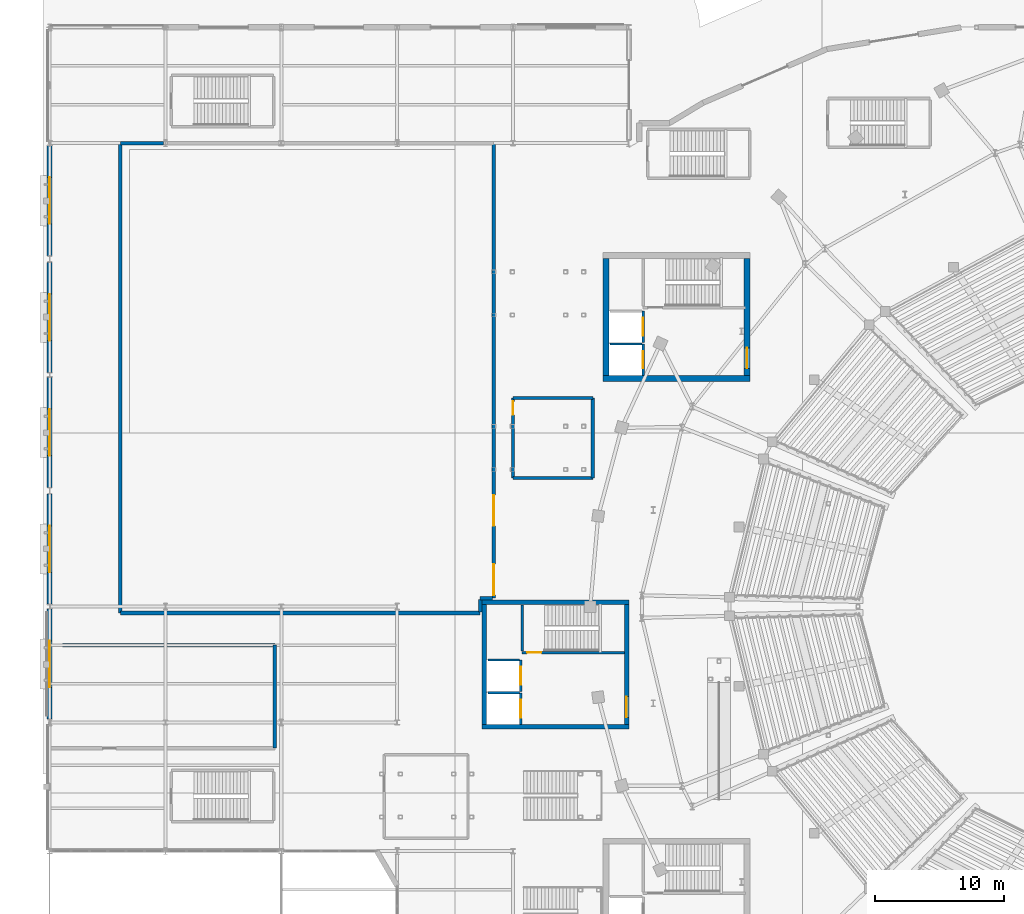
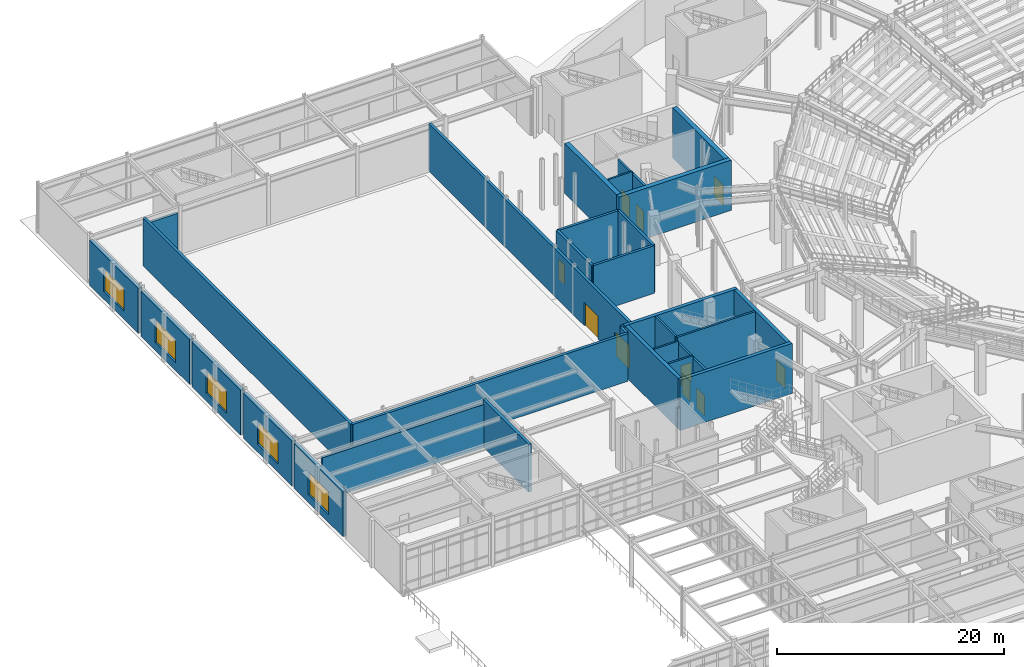
# One storey, part 51 of 79: 33 walls, 10 doors, 5 windows, 15 openings.
"""IFC4 building model written with IfcOpenShell, lengths in metres."""

from ifc_helpers import new_model, si_unit, direction, frame, frame_2d, origin, place, context, subcontext, project, spatial, rectangle, extrude, material, layer, layer_set, type_object, element, fill, save


model = new_model("IFC4")

# Units and contexts
model_context = context("Model", 3, precision=1e-05, world=origin(), true_north=direction((0.0, 1.0)))
body_context = subcontext(model_context, "Body", "Model", "MODEL_VIEW")
ifc_project = project(units=[si_unit("LENGTHUNIT", "METRE"), si_unit("AREAUNIT", "SQUARE_METRE"), si_unit("VOLUMEUNIT", "CUBIC_METRE"), si_unit("PLANEANGLEUNIT", "RADIAN"), si_unit("MASSUNIT", "GRAM", prefix="KILO")], contexts=[model_context])

# Site, building, storey
site_placement = place(None, origin())
site = spatial("IfcSite", under=ifc_project, at=site_placement, CompositionType="ELEMENT")
building_placement = place(site_placement, origin())
building = spatial("IfcBuilding", under=site, at=building_placement, Name="Glasvene Arena", CompositionType="ELEMENT")
storey_placement = place(building_placement, origin())
storey = spatial("IfcBuildingStorey", under=building, at=storey_placement, Name="L00", CompositionType="ELEMENT", Elevation=0.0)

# Walls
ifc_material_1 = material(Name="Concrete C40/50", Category="concrete")
ifc_layer_1 = layer(ifc_material_1, 0.35009765625)
ifc_layer_set_1 = layer_set([ifc_layer_1], Name="Concrete C40/50")
wall_type_1 = type_object("IfcWallType", Name="WL-CORE-350", PredefinedType="SHEAR", material=ifc_layer_set_1)
for number, where, z_axis, x_axis, name in (
    (1, (33.60009765625, 63.675048828125, 0.0), (0.0, 0.0, 1.0), (1.0, 0.0, 0.0), "Core C5 West Media shear wall S L00"),
    (2, (33.60009765625, 73.324951171875, 0.0), (0.0, 0.0, 1.0), (1.0, 0.0, 0.0), "Core C5 West Media shear wall N L00"),
):
    element("IfcWall", number, at=place(storey_placement, frame(where, z_axis=z_axis, x_axis=x_axis)), inside=storey, type_object=wall_type_1, Name=name, PredefinedType="SHEAR", context=body_context, shape_type="SweptSolid", body=[
        extrude(rectangle(XDim=11.39990234375, YDim=0.35009765625, at=frame_2d((5.699951171875, 0.0))), origin(), (0.0, 0.0, 1.0), 5.39990234375),
    ])
wall_1_placement = place(storey_placement, frame((33.77490234375, 63.85009765625, 0.0), z_axis=(0.0, 0.0, 1.0), x_axis=(0.0, 1.0, 0.0)))
element("IfcWall", 3, at=wall_1_placement, inside=storey, type_object=wall_type_1, Name="Core C5 West Media shear wall W L00", PredefinedType="SHEAR", context=body_context, shape_type="SweptSolid", body=[
    extrude(rectangle(XDim=9.2998046875, YDim=0.35009765625, at=frame_2d((4.64990234375, 0.0))), origin(), (0.0, 0.0, 1.0), 5.39990234375),
])

# Wall, opening, door
wall_2_placement = place(storey_placement, frame((44.824951171875, 63.85009765625, 0.0), z_axis=(0.0, 0.0, 1.0), x_axis=(0.0, 1.0, 0.0)))
wall_2 = element("IfcWall", 4, at=wall_2_placement, inside=storey, type_object=wall_type_1, Name="Core C5 West Media shear wall E L00", PredefinedType="SHEAR", context=body_context, shape_type="SweptSolid", body=[
    extrude(rectangle(XDim=9.2998046875, YDim=0.35009765625, at=frame_2d((4.64990234375, 0.0))), origin(), (0.0, 0.0, 1.0), 5.39990234375),
])
opening_1_placement = place(wall_2_placement, frame((0.550048828125, 0.0, 0.0)))
opening_1 = element("IfcOpeningElement", 5, at=opening_1_placement, cuts=wall_2, Name="Opening D-02", PredefinedType="OPENING", context=body_context, shape_type="SweptSolid", body=[
    extrude(rectangle(XDim=1.60009765625, YDim=2.199951171875, at=frame_2d((0.800048828125, 1.10009765625))), frame((0.0, 0.18505859375, 0.0), z_axis=(0.0, -1.0, 0.0), x_axis=(1.0, 0.0, 0.0)), (0.0, 0.0, 1.0), 0.3701171875),
])
ifc_material_2 = material(Name="Painted fire-resisting steel", Category="steel")
door_type_1 = type_object("IfcDoorType", Name="DR-FD60-1600", OperationType="DOUBLE_DOOR_SINGLE_SWING", PredefinedType="DOOR", material=ifc_material_2)
door_1_placement = place(opening_1_placement, frame((1.60009765625, 0.0, 0.0), z_axis=(0.0, 0.0, 1.0), x_axis=(-1.0, 0.0, 0.0)))
door_1 = element("IfcDoor", 6, at=door_1_placement, inside=storey, type_object=door_type_1, Name="Core firefighting lobby concourse door C5-L00", OperationType="DOUBLE_DOOR_SINGLE_SWING", OverallHeight=2.199951171875, OverallWidth=1.60009765625, PredefinedType="DOOR", context=body_context, shape_type="SweptSolid", body=[
    extrude(rectangle(XDim=1.60009765625, YDim=2.199951171875, at=frame_2d((0.800048828125, 1.10009765625))), frame((0.0, 0.02490234375, 0.0), z_axis=(0.0, -1.0, 0.0), x_axis=(1.0, 0.0, 0.0)), (0.0, 0.0, 1.0), 0.050048828125),
])
fill(opening_1, door_1)

# Walls
ifc_layer_2 = layer(ifc_material_1, 0.449951171875)
ifc_layer_set_2 = layer_set([ifc_layer_2], Name="Concrete C40/50")
wall_type_2 = type_object("IfcWallType", Name="WL-CORE-450", PredefinedType="SHEAR", material=ifc_layer_set_2)
wall_3_placement = place(storey_placement, frame((43.0, 90.72509765625, 0.0), z_axis=(0.0, 0.0, 1.0), x_axis=(1.0, 0.0, 0.0)))
element("IfcWall", 7, at=wall_3_placement, inside=storey, type_object=wall_type_2, Name="Core C1 North-West shear wall S L00", PredefinedType="SHEAR", context=body_context, shape_type="SweptSolid", body=[
    extrude(rectangle(XDim=11.39990234375, YDim=0.449951171875, at=frame_2d((5.699951171875, 0.0))), origin(), (0.0, 0.0, 1.0), 5.39990234375),
])
wall_4_placement = place(storey_placement, frame((43.22509765625, 90.949951171875, 0.0), z_axis=(0.0, 0.0, 1.0), x_axis=(0.0, 1.0, 0.0)))
element("IfcWall", 8, at=wall_4_placement, inside=storey, type_object=wall_type_2, Name="Core C1 North-West shear wall W L00", PredefinedType="SHEAR", context=body_context, shape_type="SweptSolid", body=[
    extrude(rectangle(XDim=9.10009765625, YDim=0.449951171875, at=frame_2d((4.550048828125, 0.0))), origin(), (0.0, 0.0, 1.0), 5.39990234375),
])

# Wall, opening, door
wall_5_placement = place(storey_placement, frame((54.175048828125, 90.949951171875, 0.0), z_axis=(0.0, 0.0, 1.0), x_axis=(0.0, 1.0, 0.0)))
wall_5 = element("IfcWall", 9, at=wall_5_placement, inside=storey, type_object=wall_type_2, Name="Core C1 North-West shear wall E L00", PredefinedType="SHEAR", context=body_context, shape_type="SweptSolid", body=[
    extrude(rectangle(XDim=9.10009765625, YDim=0.449951171875, at=frame_2d((4.550048828125, 0.0))), origin(), (0.0, 0.0, 1.0), 5.39990234375),
])
opening_2_placement = place(wall_5_placement, frame((0.550048828125, 0.0, 0.0)))
opening_2 = element("IfcOpeningElement", 10, at=opening_2_placement, cuts=wall_5, Name="Opening D-02", PredefinedType="OPENING", context=body_context, shape_type="SweptSolid", body=[
    extrude(rectangle(XDim=1.60009765625, YDim=2.199951171875, at=frame_2d((0.800048828125, 1.10009765625))), frame((0.0, 0.23486328125, 0.0), z_axis=(0.0, -1.0, 0.0), x_axis=(1.0, 0.0, 0.0)), (0.0, 0.0, 1.0), 0.469970703125),
])
door_2_placement = place(opening_2_placement, frame((1.60009765625, 0.0, 0.0), z_axis=(0.0, 0.0, 1.0), x_axis=(-1.0, 0.0, 0.0)))
door_2 = element("IfcDoor", 11, at=door_2_placement, inside=storey, type_object=door_type_1, Name="Core firefighting lobby concourse door C1-L00", OperationType="DOUBLE_DOOR_SINGLE_SWING", OverallHeight=2.199951171875, OverallWidth=1.60009765625, PredefinedType="DOOR", context=body_context, shape_type="SweptSolid", body=[
    extrude(rectangle(XDim=1.60009765625, YDim=2.199951171875, at=frame_2d((0.800048828125, 1.10009765625))), frame((0.0, 0.02490234375, 0.0), z_axis=(0.0, -1.0, 0.0), x_axis=(1.0, 0.0, 0.0)), (0.0, 0.0, 1.0), 0.050048828125),
])
fill(opening_2, door_2)

# Wall, opening, window
ifc_material_3 = material(Name="Coursed pale Irish limestone", Category="masonry")
ifc_layer_3 = layer(ifc_material_3, 0.39990234375)
ifc_layer_set_3 = layer_set([ifc_layer_3], Name="Coursed pale Irish limestone")
wall_type_3 = type_object("IfcWallType", Name="WL-EXT-LIM-400", PredefinedType="STANDARD", material=ifc_layer_set_3)
wall_6_placement = place(storey_placement, frame((0.0, 64.251953125, 0.0), z_axis=(0.0, 0.0, 1.0), x_axis=(0.0, 1.0, 0.0)))
wall_6 = element("IfcWall", 12, at=wall_6_placement, inside=storey, type_object=wall_type_3, Name="External facade wall EW-L00-0002", PredefinedType="STANDARD", context=body_context, shape_type="SweptSolid", body=[
    extrude(rectangle(XDim=8.56201171875, YDim=0.39990234375, at=frame_2d((4.281005859375, 0.0))), origin(), (0.0, 0.0, 1.0), 4.81494140625),
])
opening_3_placement = place(wall_6_placement, frame((2.48095703125, 0.0, 0.85009765625)))
opening_3 = element("IfcOpeningElement", 13, at=opening_3_placement, cuts=wall_6, Name="Opening W-01", PredefinedType="OPENING", context=body_context, shape_type="SweptSolid", body=[
    extrude(rectangle(XDim=3.60009765625, YDim=2.39990234375, at=frame_2d((1.800048828125, 1.199951171875))), frame((0.0, 0.2099609375, 0.0), z_axis=(0.0, -1.0, 0.0), x_axis=(1.0, 0.0, 0.0)), (0.0, 0.0, 1.0), 0.419921875),
])
ifc_material_4 = material(Name="Low-emissivity laminated double glazing", Category="glass")
window_type = type_object("IfcWindowType", Name="WN-FOY-360x240", PartitioningType="DOUBLE_PANEL_VERTICAL", PredefinedType="WINDOW", material=ifc_material_4)
window_1_placement = place(opening_3_placement, origin())
window_1 = element("IfcWindow", 14, at=window_1_placement, inside=storey, type_object=window_type, Name="Facade window WN-FOY-360x240 L00-0001", OverallHeight=2.39990234375, OverallWidth=3.60009765625, PartitioningType="SINGLE_PANEL", PredefinedType="WINDOW", context=body_context, shape_type="SweptSolid", body=[
    extrude(rectangle(XDim=3.60009765625, YDim=2.39990234375, at=frame_2d((1.800048828125, 1.199951171875))), frame((0.0, 0.030029296875, 0.0), z_axis=(0.0, -1.0, 0.0), x_axis=(1.0, 0.0, 0.0)), (0.0, 0.0, 1.0), 0.06005859375),
])
fill(opening_3, window_1)

wall_7_placement = place(storey_placement, frame((0.0, 73.18603515625, 0.0), z_axis=(0.0, 0.0, 1.0), x_axis=(0.0, 1.0, 0.0)))
wall_7 = element("IfcWall", 15, at=wall_7_placement, inside=storey, type_object=wall_type_3, Name="External facade wall EW-L00-0003", PredefinedType="STANDARD", context=body_context, shape_type="SweptSolid", body=[
    extrude(rectangle(XDim=8.56201171875, YDim=0.39990234375, at=frame_2d((4.281005859375, 0.0))), origin(), (0.0, 0.0, 1.0), 4.81494140625),
])
opening_4_placement = place(wall_7_placement, frame((2.48095703125, 0.0, 0.85009765625)))
opening_4 = element("IfcOpeningElement", 16, at=opening_4_placement, cuts=wall_7, Name="Opening W-01", PredefinedType="OPENING", context=body_context, shape_type="SweptSolid", body=[
    extrude(rectangle(XDim=3.60009765625, YDim=2.39990234375, at=frame_2d((1.800048828125, 1.199951171875))), frame((0.0, 0.2099609375, 0.0), z_axis=(0.0, -1.0, 0.0), x_axis=(1.0, 0.0, 0.0)), (0.0, 0.0, 1.0), 0.419921875),
])
window_2_placement = place(opening_4_placement, origin())
window_2 = element("IfcWindow", 17, at=window_2_placement, inside=storey, type_object=window_type, Name="Facade window WN-FOY-360x240 L00-0002", OverallHeight=2.39990234375, OverallWidth=3.60009765625, PartitioningType="SINGLE_PANEL", PredefinedType="WINDOW", context=body_context, shape_type="SweptSolid", body=[
    extrude(rectangle(XDim=3.60009765625, YDim=2.39990234375, at=frame_2d((1.800048828125, 1.199951171875))), frame((0.0, 0.030029296875, 0.0), z_axis=(0.0, -1.0, 0.0), x_axis=(1.0, 0.0, 0.0)), (0.0, 0.0, 1.0), 0.06005859375),
])
fill(opening_4, window_2)

wall_8_placement = place(storey_placement, frame((0.0, 82.251953125, 0.0), z_axis=(0.0, 0.0, 1.0), x_axis=(0.0, 1.0, 0.0)))
wall_8 = element("IfcWall", 18, at=wall_8_placement, inside=storey, type_object=wall_type_3, Name="External facade wall EW-L00-0004", PredefinedType="STANDARD", context=body_context, shape_type="SweptSolid", body=[
    extrude(rectangle(XDim=8.56201171875, YDim=0.39990234375, at=frame_2d((4.281005859375, 0.0))), origin(), (0.0, 0.0, 1.0), 4.81494140625),
])
opening_5_placement = place(wall_8_placement, frame((2.48095703125, 0.0, 0.85009765625)))
opening_5 = element("IfcOpeningElement", 19, at=opening_5_placement, cuts=wall_8, Name="Opening W-01", PredefinedType="OPENING", context=body_context, shape_type="SweptSolid", body=[
    extrude(rectangle(XDim=3.60009765625, YDim=2.39990234375, at=frame_2d((1.800048828125, 1.199951171875))), frame((0.0, 0.2099609375, 0.0), z_axis=(0.0, -1.0, 0.0), x_axis=(1.0, 0.0, 0.0)), (0.0, 0.0, 1.0), 0.419921875),
])
window_3_placement = place(opening_5_placement, origin())
window_3 = element("IfcWindow", 20, at=window_3_placement, inside=storey, type_object=window_type, Name="Facade window WN-FOY-360x240 L00-0003", OverallHeight=2.39990234375, OverallWidth=3.60009765625, PartitioningType="SINGLE_PANEL", PredefinedType="WINDOW", context=body_context, shape_type="SweptSolid", body=[
    extrude(rectangle(XDim=3.60009765625, YDim=2.39990234375, at=frame_2d((1.800048828125, 1.199951171875))), frame((0.0, 0.030029296875, 0.0), z_axis=(0.0, -1.0, 0.0), x_axis=(1.0, 0.0, 0.0)), (0.0, 0.0, 1.0), 0.06005859375),
])
fill(opening_5, window_3)

wall_9_placement = place(storey_placement, frame((0.0, 91.18603515625, 0.0), z_axis=(0.0, 0.0, 1.0), x_axis=(0.0, 1.0, 0.0)))
wall_9 = element("IfcWall", 21, at=wall_9_placement, inside=storey, type_object=wall_type_3, Name="External facade wall EW-L00-0005", PredefinedType="STANDARD", context=body_context, shape_type="SweptSolid", body=[
    extrude(rectangle(XDim=8.56201171875, YDim=0.39990234375, at=frame_2d((4.281005859375, 0.0))), origin(), (0.0, 0.0, 1.0), 4.81494140625),
])
opening_6_placement = place(wall_9_placement, frame((2.48095703125, 0.0, 0.85009765625)))
opening_6 = element("IfcOpeningElement", 22, at=opening_6_placement, cuts=wall_9, Name="Opening W-01", PredefinedType="OPENING", context=body_context, shape_type="SweptSolid", body=[
    extrude(rectangle(XDim=3.60009765625, YDim=2.39990234375, at=frame_2d((1.800048828125, 1.199951171875))), frame((0.0, 0.2099609375, 0.0), z_axis=(0.0, -1.0, 0.0), x_axis=(1.0, 0.0, 0.0)), (0.0, 0.0, 1.0), 0.419921875),
])
window_4_placement = place(opening_6_placement, origin())
window_4 = element("IfcWindow", 23, at=window_4_placement, inside=storey, type_object=window_type, Name="Facade window WN-FOY-360x240 L00-0004", OverallHeight=2.39990234375, OverallWidth=3.60009765625, PartitioningType="SINGLE_PANEL", PredefinedType="WINDOW", context=body_context, shape_type="SweptSolid", body=[
    extrude(rectangle(XDim=3.60009765625, YDim=2.39990234375, at=frame_2d((1.800048828125, 1.199951171875))), frame((0.0, 0.030029296875, 0.0), z_axis=(0.0, -1.0, 0.0), x_axis=(1.0, 0.0, 0.0)), (0.0, 0.0, 1.0), 0.06005859375),
])
fill(opening_6, window_4)

wall_10_placement = place(storey_placement, frame((0.0, 100.251953125, 0.0), z_axis=(0.0, 0.0, 1.0), x_axis=(0.0, 1.0, 0.0)))
wall_10 = element("IfcWall", 24, at=wall_10_placement, inside=storey, type_object=wall_type_3, Name="External facade wall EW-L00-0006", PredefinedType="STANDARD", context=body_context, shape_type="SweptSolid", body=[
    extrude(rectangle(XDim=8.56201171875, YDim=0.39990234375, at=frame_2d((4.281005859375, 0.0))), origin(), (0.0, 0.0, 1.0), 4.81494140625),
])
opening_7_placement = place(wall_10_placement, frame((2.48095703125, 0.0, 0.85009765625)))
opening_7 = element("IfcOpeningElement", 25, at=opening_7_placement, cuts=wall_10, Name="Opening W-01", PredefinedType="OPENING", context=body_context, shape_type="SweptSolid", body=[
    extrude(rectangle(XDim=3.60009765625, YDim=2.39990234375, at=frame_2d((1.800048828125, 1.199951171875))), frame((0.0, 0.2099609375, 0.0), z_axis=(0.0, -1.0, 0.0), x_axis=(1.0, 0.0, 0.0)), (0.0, 0.0, 1.0), 0.419921875),
])
window_5_placement = place(opening_7_placement, origin())
window_5 = element("IfcWindow", 26, at=window_5_placement, inside=storey, type_object=window_type, Name="Facade window WN-FOY-360x240 L00-0005", OverallHeight=2.39990234375, OverallWidth=3.60009765625, PartitioningType="SINGLE_PANEL", PredefinedType="WINDOW", context=body_context, shape_type="SweptSolid", body=[
    extrude(rectangle(XDim=3.60009765625, YDim=2.39990234375, at=frame_2d((1.800048828125, 1.199951171875))), frame((0.0, 0.030029296875, 0.0), z_axis=(0.0, -1.0, 0.0), x_axis=(1.0, 0.0, 0.0)), (0.0, 0.0, 1.0), 0.06005859375),
])
fill(opening_7, window_5)

# Walls
ifc_layer_4 = layer(ifc_material_1, 0.25)
ifc_layer_set_4 = layer_set([ifc_layer_4], Name="Concrete C40/50")
wall_type_4 = type_object("IfcWallType", Name="WL-FIRE-250", PredefinedType="STANDARD", material=ifc_layer_set_4)
for number, where, z_axis, x_axis, name in (
    (27, (36.0, 89.199951171875, 0.0), (0.0, 0.0, 1.0), (1.0, 0.0, 0.0), "Interior partition wall IW-L00-0075 (Fire Command Centre)"),
    (28, (42.199951171875, 89.199951171875, 0.0), (0.0, 0.0, 1.0), (0.0, -1.0, 0.0), "Interior partition wall IW-L00-0076 (Fire Command Centre)"),
    (29, (42.199951171875, 83.0, 0.0), (0.0, 0.0, 1.0), (-1.0, 0.0, 0.0), "Interior partition wall IW-L00-0077 (Fire Command Centre)"),
):
    element("IfcWall", number, at=place(storey_placement, frame(where, z_axis=z_axis, x_axis=x_axis)), inside=storey, type_object=wall_type_4, Name=name, PredefinedType="STANDARD", context=body_context, shape_type="SweptSolid", body=[
        extrude(rectangle(XDim=6.199951171875, YDim=0.25, at=frame_2d((3.10009765625, 0.0))), origin(), (0.0, 0.0, 1.0), 5.1201171875),
    ])

# Wall, opening, door
wall_11_placement = place(storey_placement, frame((36.0, 83.0, 0.0), z_axis=(0.0, 0.0, 1.0), x_axis=(0.0, 1.0, 0.0)))
wall_11 = element("IfcWall", 30, at=wall_11_placement, inside=storey, type_object=wall_type_4, Name="Interior partition wall IW-L00-0078 (Fire Command Centre)", PredefinedType="STANDARD", context=body_context, shape_type="SweptSolid", body=[
    extrude(rectangle(XDim=6.199951171875, YDim=0.25, at=frame_2d((3.10009765625, 0.0))), origin(), (0.0, 0.0, 1.0), 5.1201171875),
])
opening_8_placement = place(wall_11_placement, frame((4.89990234375, 0.0, 0.0)))
opening_8 = element("IfcOpeningElement", 31, at=opening_8_placement, cuts=wall_11, Name="Opening D-05", PredefinedType="OPENING", context=body_context, shape_type="SweptSolid", body=[
    extrude(rectangle(XDim=1.050048828125, YDim=2.14990234375, at=frame_2d((0.52490234375, 1.074951171875))), frame((0.0, 0.135009765625, 0.0), z_axis=(0.0, -1.0, 0.0), x_axis=(1.0, 0.0, 0.0)), (0.0, 0.0, 1.0), 0.27001953125),
])
door_type_2 = type_object("IfcDoorType", Name="DR-FD60-1050", OperationType="NOTDEFINED", PredefinedType="DOOR", material=ifc_material_2)
door_3_placement = place(opening_8_placement, origin())
door_3 = element("IfcDoor", 32, at=door_3_placement, inside=storey, type_object=door_type_2, Name="Interior door DR-FD60-1050 (Fire Command Centre)", OperationType="SINGLE_SWING_LEFT", OverallHeight=2.14990234375, OverallWidth=1.050048828125, PredefinedType="DOOR", context=body_context, shape_type="SweptSolid", body=[
    extrude(rectangle(XDim=1.050048828125, YDim=2.14990234375, at=frame_2d((0.52490234375, 1.074951171875))), frame((0.0, 0.02490234375, 0.0), z_axis=(0.0, -1.0, 0.0), x_axis=(1.0, 0.0, 0.0)), (0.0, 0.0, 1.0), 0.050048828125),
])
fill(opening_8, door_3)

ifc_layer_5 = layer(ifc_material_1, 0.199951171875)
ifc_layer_set_5 = layer_set([ifc_layer_5], Name="Concrete C40/50")
wall_type_5 = type_object("IfcWallType", Name="WL-SHAFT-200", PredefinedType="SHEAR", material=ifc_layer_set_5)
wall_12_placement = place(storey_placement, frame((46.10009765625, 90.949951171875, 0.0), z_axis=(0.0, 0.0, 1.0), x_axis=(0.0, 1.0, 0.0)))
wall_12 = element("IfcWall", 33, at=wall_12_placement, inside=storey, type_object=wall_type_5, Name="Lift shaft front wall FFL-01 L00", PredefinedType="SHEAR", context=body_context, shape_type="SweptSolid", body=[
    extrude(rectangle(XDim=2.449951171875, YDim=0.199951171875, at=frame_2d((1.22509765625, 0.0))), origin(), (0.0, 0.0, 1.0), 5.1201171875),
])
opening_9_placement = place(wall_12_placement, frame((0.574951171875, 0.0, 0.0)))
opening_9 = element("IfcOpeningElement", 34, at=opening_9_placement, cuts=wall_12, Name="Opening LD-FF", PredefinedType="OPENING", context=body_context, shape_type="SweptSolid", body=[
    extrude(rectangle(XDim=1.300048828125, YDim=2.199951171875, at=frame_2d((0.64990234375, 1.10009765625))), frame((0.0, 0.10986328125, 0.0), z_axis=(0.0, -1.0, 0.0), x_axis=(1.0, 0.0, 0.0)), (0.0, 0.0, 1.0), 0.219970703125),
])
ifc_material_5 = material(Name="Brushed stainless steel", Category="steel")
door_type_3 = type_object("IfcDoorType", Name="LD-FFL-1300", OperationType="DOUBLE_DOOR_SLIDING", PredefinedType="DOOR", material=ifc_material_5)
door_4_placement = place(opening_9_placement, origin())
door_4 = element("IfcDoor", 35, at=door_4_placement, inside=storey, type_object=door_type_3, Name="Lift sliding landing door LD-FFL-01-L00", OperationType="DOUBLE_DOOR_SLIDING", OverallHeight=2.199951171875, OverallWidth=1.300048828125, PredefinedType="DOOR", context=body_context, shape_type="SweptSolid", body=[
    extrude(rectangle(XDim=1.300048828125, YDim=2.199951171875, at=frame_2d((0.64990234375, 1.10009765625))), frame((0.0, 0.02490234375, 0.0), z_axis=(0.0, -1.0, 0.0), x_axis=(1.0, 0.0, 0.0)), (0.0, 0.0, 1.0), 0.050048828125),
])
fill(opening_9, door_4)

wall_13_placement = place(storey_placement, frame((46.10009765625, 93.5, 0.0), z_axis=(0.0, 0.0, 1.0), x_axis=(0.0, 1.0, 0.0)))
wall_13 = element("IfcWall", 36, at=wall_13_placement, inside=storey, type_object=wall_type_5, Name="Lift shaft front wall PL-01 L00", PredefinedType="SHEAR", context=body_context, shape_type="SweptSolid", body=[
    extrude(rectangle(XDim=2.449951171875, YDim=0.199951171875, at=frame_2d((1.22509765625, 0.0))), origin(), (0.0, 0.0, 1.0), 5.1201171875),
])
opening_10_placement = place(wall_13_placement, frame((0.52490234375, 0.0, 0.0)))
opening_10 = element("IfcOpeningElement", 37, at=opening_10_placement, cuts=wall_13, Name="Opening LD-PL", PredefinedType="OPENING", context=body_context, shape_type="SweptSolid", body=[
    extrude(rectangle(XDim=1.39990234375, YDim=2.199951171875, at=frame_2d((0.699951171875, 1.10009765625))), frame((0.0, 0.10986328125, 0.0), z_axis=(0.0, -1.0, 0.0), x_axis=(1.0, 0.0, 0.0)), (0.0, 0.0, 1.0), 0.219970703125),
])
door_type_4 = type_object("IfcDoorType", Name="LD-PL-1400", OperationType="DOUBLE_DOOR_SLIDING", PredefinedType="DOOR", material=ifc_material_5)
door_5_placement = place(opening_10_placement, origin())
door_5 = element("IfcDoor", 38, at=door_5_placement, inside=storey, type_object=door_type_4, Name="Lift sliding landing door LD-PL-01-L00", OperationType="DOUBLE_DOOR_SLIDING", OverallHeight=2.199951171875, OverallWidth=1.39990234375, PredefinedType="DOOR", context=body_context, shape_type="SweptSolid", body=[
    extrude(rectangle(XDim=1.39990234375, YDim=2.199951171875, at=frame_2d((0.699951171875, 1.10009765625))), frame((0.0, 0.02490234375, 0.0), z_axis=(0.0, -1.0, 0.0), x_axis=(1.0, 0.0, 0.0)), (0.0, 0.0, 1.0), 0.050048828125),
])
fill(opening_10, door_5)

wall_14_placement = place(storey_placement, frame((36.60009765625, 63.85009765625, 0.0), z_axis=(0.0, 0.0, 1.0), x_axis=(0.0, 1.0, 0.0)))
wall_14 = element("IfcWall", 39, at=wall_14_placement, inside=storey, type_object=wall_type_5, Name="Lift shaft front wall PL-05 L00", PredefinedType="SHEAR", context=body_context, shape_type="SweptSolid", body=[
    extrude(rectangle(XDim=2.449951171875, YDim=0.199951171875, at=frame_2d((1.22509765625, 0.0))), origin(), (0.0, 0.0, 1.0), 5.1201171875),
])
opening_11_placement = place(wall_14_placement, frame((0.52490234375, 0.0, 0.0)))
opening_11 = element("IfcOpeningElement", 40, at=opening_11_placement, cuts=wall_14, Name="Opening LD-PL", PredefinedType="OPENING", context=body_context, shape_type="SweptSolid", body=[
    extrude(rectangle(XDim=1.39990234375, YDim=2.199951171875, at=frame_2d((0.699951171875, 1.10009765625))), frame((0.0, 0.10986328125, 0.0), z_axis=(0.0, -1.0, 0.0), x_axis=(1.0, 0.0, 0.0)), (0.0, 0.0, 1.0), 0.219970703125),
])
door_6_placement = place(opening_11_placement, origin())
door_6 = element("IfcDoor", 41, at=door_6_placement, inside=storey, type_object=door_type_4, Name="Lift sliding landing door LD-PL-05-L00", OperationType="DOUBLE_DOOR_SLIDING", OverallHeight=2.199951171875, OverallWidth=1.39990234375, PredefinedType="DOOR", context=body_context, shape_type="SweptSolid", body=[
    extrude(rectangle(XDim=1.39990234375, YDim=2.199951171875, at=frame_2d((0.699951171875, 1.10009765625))), frame((0.0, 0.02490234375, 0.0), z_axis=(0.0, -1.0, 0.0), x_axis=(1.0, 0.0, 0.0)), (0.0, 0.0, 1.0), 0.050048828125),
])
fill(opening_11, door_6)

wall_15_placement = place(storey_placement, frame((36.60009765625, 66.39990234375, 0.0), z_axis=(0.0, 0.0, 1.0), x_axis=(0.0, 1.0, 0.0)))
wall_15 = element("IfcWall", 42, at=wall_15_placement, inside=storey, type_object=wall_type_5, Name="Lift shaft front wall PL-06 L00", PredefinedType="SHEAR", context=body_context, shape_type="SweptSolid", body=[
    extrude(rectangle(XDim=2.4501953125, YDim=0.199951171875, at=frame_2d((1.22509765625, 0.0))), origin(), (0.0, 0.0, 1.0), 5.1201171875),
])
opening_12_placement = place(wall_15_placement, frame((0.52490234375, 0.0, 0.0)))
opening_12 = element("IfcOpeningElement", 43, at=opening_12_placement, cuts=wall_15, Name="Opening LD-PL", PredefinedType="OPENING", context=body_context, shape_type="SweptSolid", body=[
    extrude(rectangle(XDim=1.39990234375, YDim=2.199951171875, at=frame_2d((0.699951171875, 1.10009765625))), frame((0.0, 0.10986328125, 0.0), z_axis=(0.0, -1.0, 0.0), x_axis=(1.0, 0.0, 0.0)), (0.0, 0.0, 1.0), 0.219970703125),
])
door_7_placement = place(opening_12_placement, origin())
door_7 = element("IfcDoor", 44, at=door_7_placement, inside=storey, type_object=door_type_4, Name="Lift sliding landing door LD-PL-06-L00", OperationType="DOUBLE_DOOR_SLIDING", OverallHeight=2.199951171875, OverallWidth=1.39990234375, PredefinedType="DOOR", context=body_context, shape_type="SweptSolid", body=[
    extrude(rectangle(XDim=1.39990234375, YDim=2.199951171875, at=frame_2d((0.699951171875, 1.10009765625))), frame((0.0, 0.02490234375, 0.0), z_axis=(0.0, -1.0, 0.0), x_axis=(1.0, 0.0, 0.0)), (0.0, 0.0, 1.0), 0.050048828125),
])
fill(opening_12, door_7)

wall_16_placement = place(storey_placement, frame((36.699951171875, 69.429931640625, 0.0), z_axis=(0.0, 0.0, 1.0), x_axis=(1.0, 0.0, 0.0)))
wall_16 = element("IfcWall", 45, at=wall_16_placement, inside=storey, type_object=wall_type_5, Name="Escape stair shaft wall ST-07 L00 S", PredefinedType="SHEAR", context=body_context, shape_type="SweptSolid", body=[
    extrude(rectangle(XDim=7.949951171875, YDim=0.199951171875, at=frame_2d((3.97509765625, 0.0))), origin(), (0.0, 0.0, 1.0), 5.39990234375),
])
opening_13_placement = place(wall_16_placement, frame((0.39990234375, 0.0, 0.0)))
opening_13 = element("IfcOpeningElement", 46, at=opening_13_placement, cuts=wall_16, Name="Opening D-04", PredefinedType="OPENING", context=body_context, shape_type="SweptSolid", body=[
    extrude(rectangle(XDim=1.10009765625, YDim=2.14990234375, at=frame_2d((0.550048828125, 1.074951171875))), frame((0.0, 0.10986328125, 0.0), z_axis=(0.0, -1.0, 0.0), x_axis=(1.0, 0.0, 0.0)), (0.0, 0.0, 1.0), 0.219970703125),
])
door_type_5 = type_object("IfcDoorType", Name="DR-FD60-1100", OperationType="NOTDEFINED", PredefinedType="DOOR", material=ifc_material_2)
door_8_placement = place(opening_13_placement, frame((1.10009765625, 0.0, 0.0), z_axis=(0.0, 0.0, 1.0), x_axis=(-1.0, 0.0, 0.0)))
door_8 = element("IfcDoor", 47, at=door_8_placement, inside=storey, type_object=door_type_5, Name="Protected escape stair door ST-07 L00", OperationType="SINGLE_SWING_LEFT", OverallHeight=2.14990234375, OverallWidth=1.10009765625, PredefinedType="DOOR", context=body_context, shape_type="SweptSolid", body=[
    extrude(rectangle(XDim=1.10009765625, YDim=2.14990234375, at=frame_2d((0.550048828125, 1.074951171875))), frame((0.0, 0.02490234375, 0.0), z_axis=(0.0, -1.0, 0.0), x_axis=(1.0, 0.0, 0.0)), (0.0, 0.0, 1.0), 0.050048828125),
])
fill(opening_13, door_8)

# Walls
wall_17_placement = place(storey_placement, frame((36.699951171875, 69.531982421875, 0.0), z_axis=(0.0, 0.0, 1.0), x_axis=(0.0, 1.0, 0.0)))
element("IfcWall", 48, at=wall_17_placement, inside=storey, type_object=wall_type_5, Name="Escape stair shaft wall ST-07 L00 W", PredefinedType="SHEAR", context=body_context, shape_type="SweptSolid", body=[
    extrude(rectangle(XDim=3.5859375, YDim=0.199951171875, at=frame_2d((1.79296875, 0.0))), origin(), (0.0, 0.0, 1.0), 5.39990234375),
])
ifc_material_6 = material(Name="Twin-frame acoustic gypsum partition")
ifc_layer_6 = layer(ifc_material_6, 0.280029296875)
ifc_layer_set_6 = layer_set([ifc_layer_6], Name="Twin-frame acoustic gypsum partition")
wall_type_6 = type_object("IfcWallType", Name="WL-STUDIO-280", PredefinedType="PARTITIONING", material=ifc_layer_set_6)
wall_18_placement = place(storey_placement, frame((33.449951171875, 72.5, 0.0), z_axis=(0.0, 0.0, 1.0), x_axis=(-1.0, 0.0, 0.0)))
element("IfcWall", 49, at=wall_18_placement, inside=storey, type_object=wall_type_6, Name="Interior partition wall IW-L00-0092 (Warm-Up Practice Basketball Court)", PredefinedType="PARTITIONING", context=body_context, shape_type="SweptSolid", body=[
    extrude(rectangle(XDim=27.949951171875, YDim=0.280029296875, at=frame_2d((13.97509765625, 0.0))), origin(), (0.0, 0.0, 1.0), 5.1201171875),
])
wall_19_placement = place(storey_placement, frame((5.5, 72.5, 0.0), z_axis=(0.0, 0.0, 1.0), x_axis=(0.0, 1.0, 0.0)))
element("IfcWall", 50, at=wall_19_placement, inside=storey, type_object=wall_type_6, Name="Interior partition wall IW-L00-0093 (Warm-Up Practice Basketball Court)", PredefinedType="PARTITIONING", context=body_context, shape_type="SweptSolid", body=[
    extrude(rectangle(XDim=36.5, YDim=0.280029296875, at=frame_2d((18.25, 0.0))), origin(), (0.0, 0.0, 1.0), 5.1201171875),
])
wall_20_placement = place(storey_placement, frame((5.5, 109.0, 0.0), z_axis=(0.0, 0.0, 1.0), x_axis=(1.0, 0.0, 0.0)))
element("IfcWall", 51, at=wall_20_placement, inside=storey, type_object=wall_type_6, Name="Interior partition wall IW-L00-0094 (Warm-Up Practice Basketball Court)", PredefinedType="PARTITIONING", context=body_context, shape_type="SweptSolid", body=[
    extrude(rectangle(XDim=3.345947265625, YDim=0.280029296875, at=frame_2d((1.6728515625, 0.0))), origin(), (0.0, 0.0, 1.0), 4.50732421875),
])

# Wall, openings, doors
wall_21_placement = place(storey_placement, frame((34.5, 109.0, 0.0), z_axis=(0.0, 0.0, 1.0), x_axis=(0.0, -1.0, 0.0)))
wall_21 = element("IfcWall", 52, at=wall_21_placement, inside=storey, type_object=wall_type_6, Name="Interior partition wall IW-L00-0098 (Warm-Up Practice Basketball Court)", PredefinedType="PARTITIONING", context=body_context, shape_type="SweptSolid", body=[
    extrude(rectangle(XDim=35.35009765625, YDim=0.280029296875, at=frame_2d((17.675048828125, 0.0))), origin(), (0.0, 0.0, 1.0), 5.1201171875),
])
opening_14_placement = place(wall_21_placement, frame((32.699951171875, 0.0, 0.0)))
opening_14 = element("IfcOpeningElement", 53, at=opening_14_placement, cuts=wall_21, Name="Opening D-09", PredefinedType="OPENING", context=body_context, shape_type="SweptSolid", body=[
    extrude(rectangle(XDim=2.39990234375, YDim=2.5, at=frame_2d((1.199951171875, 1.25))), frame((0.0, 0.14990234375, 0.0), z_axis=(0.0, -1.0, 0.0), x_axis=(1.0, 0.0, 0.0)), (0.0, 0.0, 1.0), 0.300048828125),
])
opening_15_placement = place(wall_21_placement, frame((27.3369140625, 0.0, 0.0)))
opening_15 = element("IfcOpeningElement", 54, at=opening_15_placement, cuts=wall_21, Name="Opening D-09", PredefinedType="OPENING", context=body_context, shape_type="SweptSolid", body=[
    extrude(rectangle(XDim=2.39990234375, YDim=2.5, at=frame_2d((1.199951171875, 1.25))), frame((0.0, 0.14990234375, 0.0), z_axis=(0.0, -1.0, 0.0), x_axis=(1.0, 0.0, 0.0)), (0.0, 0.0, 1.0), 0.300048828125),
])
ifc_material_7 = material(Name="European oak acoustic timber", Category="wood")
door_type_6 = type_object("IfcDoorType", Name="DR-PRAC-2400", OperationType="DOUBLE_DOOR_SINGLE_SWING", PredefinedType="DOOR", material=ifc_material_7)
door_9_placement = place(opening_14_placement, origin())
door_9 = element("IfcDoor", 55, at=door_9_placement, inside=storey, type_object=door_type_6, Name="Interior door DR-PRAC-2400 (Warm-Up Practice Basketball Court)", OperationType="DOUBLE_DOOR_SINGLE_SWING", OverallHeight=2.5, OverallWidth=2.39990234375, PredefinedType="DOOR", context=body_context, shape_type="SweptSolid", body=[
    extrude(rectangle(XDim=2.39990234375, YDim=2.5, at=frame_2d((1.199951171875, 1.25))), frame((0.0, 0.02490234375, 0.0), z_axis=(0.0, -1.0, 0.0), x_axis=(1.0, 0.0, 0.0)), (0.0, 0.0, 1.0), 0.050048828125),
])
fill(opening_14, door_9)
door_10_placement = place(opening_15_placement, origin())
door_10 = element("IfcDoor", 56, at=door_10_placement, inside=storey, type_object=door_type_6, Name="Interior door DR-PRAC-2400 (Warm-Up Practice Basketball Court)", OperationType="DOUBLE_DOOR_SINGLE_SWING", OverallHeight=2.5, OverallWidth=2.39990234375, PredefinedType="DOOR", context=body_context, shape_type="SweptSolid", body=[
    extrude(rectangle(XDim=2.39990234375, YDim=2.5, at=frame_2d((1.199951171875, 1.25))), frame((0.0, 0.02490234375, 0.0), z_axis=(0.0, -1.0, 0.0), x_axis=(1.0, 0.0, 0.0)), (0.0, 0.0, 1.0), 0.050048828125),
])
fill(opening_15, door_10)

# Walls
wall_22_placement = place(storey_placement, frame((34.409912109375, 73.64990234375, 0.0), z_axis=(0.0, 0.0, 1.0), x_axis=(-1.0, 0.0, 0.0)))
element("IfcWall", 57, at=wall_22_placement, inside=storey, type_object=wall_type_6, Name="Interior partition wall IW-L00-0099 (Warm-Up Practice Basketball Court)", PredefinedType="PARTITIONING", context=body_context, shape_type="SweptSolid", body=[
    extrude(rectangle(XDim=0.9599609375, YDim=0.280029296875, at=frame_2d((0.47998046875, 0.0))), origin(), (0.0, 0.0, 1.0), 5.1201171875),
])
wall_23_placement = place(storey_placement, frame((33.449951171875, 73.56005859375, 0.0), z_axis=(0.0, 0.0, 1.0), x_axis=(0.0, -1.0, 0.0)))
element("IfcWall", 58, at=wall_23_placement, inside=storey, type_object=wall_type_6, Name="Interior partition wall IW-L00-0100 (Warm-Up Practice Basketball Court)", PredefinedType="PARTITIONING", context=body_context, shape_type="SweptSolid", body=[
    extrude(rectangle(XDim=0.969970703125, YDim=0.280029296875, at=frame_2d((0.48486328125, 0.0))), origin(), (0.0, 0.0, 1.0), 5.1201171875),
])
wall_24_placement = place(storey_placement, frame((1.0, 70.0, 0.0), z_axis=(0.0, 0.0, 1.0), x_axis=(1.0, 0.0, 0.0)))
element("IfcWall", 59, at=wall_24_placement, inside=storey, type_object=wall_type_6, Name="Interior partition wall IW-L00-0101 (Practice Court Changing Room)", PredefinedType="PARTITIONING", context=body_context, shape_type="SweptSolid", body=[
    extrude(rectangle(XDim=16.5, YDim=0.280029296875, at=frame_2d((8.25, 0.0))), origin(), (0.0, 0.0, 1.0), 4.657958984375),
])
wall_25_placement = place(storey_placement, frame((17.5, 70.0, 0.0), z_axis=(0.0, 0.0, 1.0), x_axis=(0.0, -1.0, 0.0)))
element("IfcWall", 60, at=wall_25_placement, inside=storey, type_object=wall_type_6, Name="Interior partition wall IW-L00-0102 (Practice Court Changing Room)", PredefinedType="PARTITIONING", context=body_context, shape_type="SweptSolid", body=[
    extrude(rectangle(XDim=8.0, YDim=0.280029296875, at=frame_2d((4.0, 0.0))), origin(), (0.0, 0.0, 1.0), 5.1201171875),
])
ifc_material_8 = material(Name="Moisture-resistant masonry blockwork", Category="masonry")
ifc_layer_7 = layer(ifc_material_8, 0.179931640625)
ifc_layer_set_7 = layer_set([ifc_layer_7], Name="Moisture-resistant masonry blockwork")
wall_type_7 = type_object("IfcWallType", Name="WL-WET-180", PredefinedType="PARTITIONING", material=ifc_layer_set_7)
for number, where, z_axis, x_axis, name in (
    (61, (43.550048828125, 93.39990234375, 0.0), (0.0, 0.0, 1.0), (1.0, 0.0, 0.0), "Lift shaft divider wall C1 L00"),
    (62, (34.050048828125, 66.300048828125, 0.0), (0.0, 0.0, 1.0), (1.0, 0.0, 0.0), "Lift shaft divider wall C5 L00"),
    (63, (34.050048828125, 68.85009765625, 0.0), (0.0, 0.0, 1.0), (1.0, 0.0, 0.0), "Lift shaft north enclosure wall C5 L00"),
):
    element("IfcWall", number, at=place(storey_placement, frame(where, z_axis=z_axis, x_axis=x_axis)), inside=storey, type_object=wall_type_7, Name=name, PredefinedType="PARTITIONING", context=body_context, shape_type="SweptSolid", body=[
        extrude(rectangle(XDim=2.449951171875, YDim=0.179931640625, at=frame_2d((1.22509765625, 0.0))), origin(), (0.0, 0.0, 1.0), 5.39990234375),
    ])

save(model, "model.ifc")
